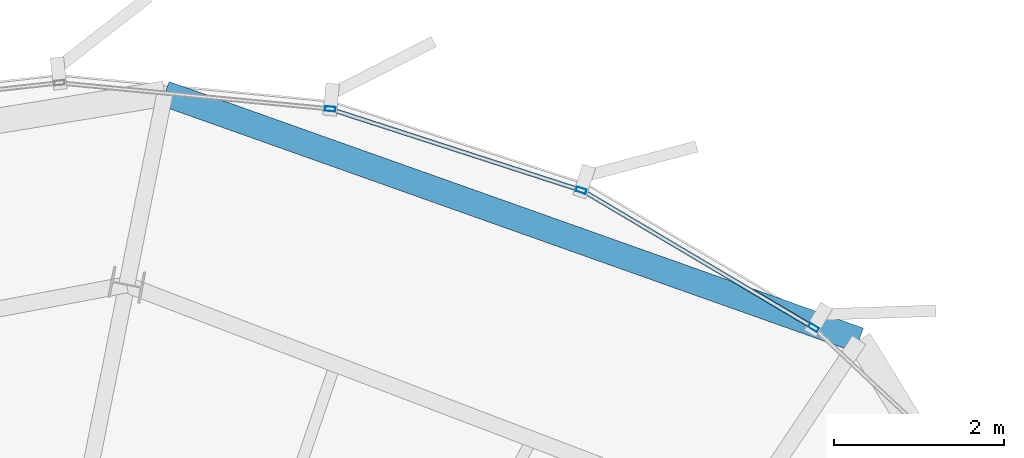
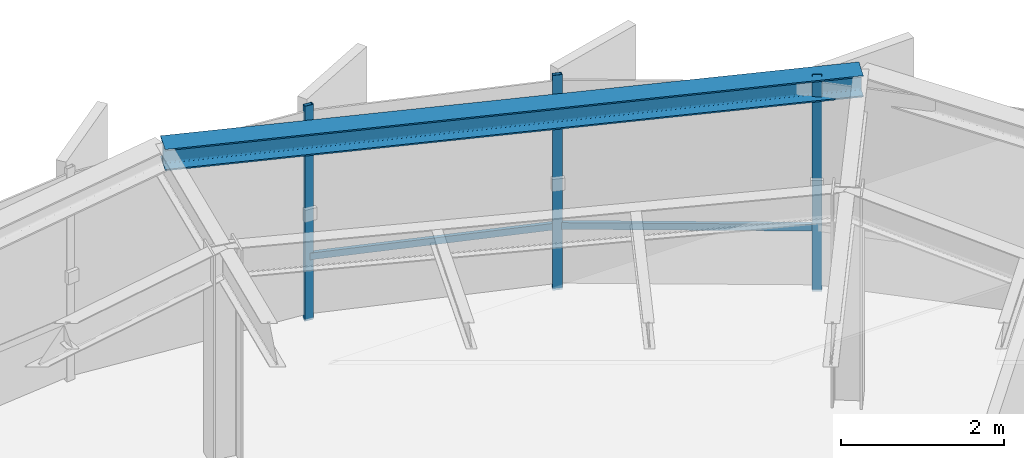
# One storey, part 21 of 30: 5 members, 1 beam, 2 elements without a shape of their own.
"""IFC4 building model written with IfcOpenShell, lengths in metres."""

from ifc_helpers import new_model, si_unit, direction, frame, origin, origin_2d, place, context, subcontext, project, spatial, hollow_rectangle, i_section, extrude, source, transform, mapped, material, layer, layer_set, material_profile, profile_set, type_object, element, aggregate, save


model = new_model("IFC4")

# Units and contexts
model_context = context("Model", 3, precision=1e-05, world=origin(), true_north=direction((0.0, 1.0)))
body_context = subcontext(model_context, "Body", "Model", "MODEL_VIEW")
ifc_project = project(units=[si_unit("LENGTHUNIT", "METRE"), si_unit("AREAUNIT", "SQUARE_METRE"), si_unit("VOLUMEUNIT", "CUBIC_METRE"), si_unit("PLANEANGLEUNIT", "RADIAN"), si_unit("MASSUNIT", "GRAM", prefix="KILO"), si_unit("THERMODYNAMICTEMPERATUREUNIT", "KELVIN")], contexts=[model_context])

# Site, building, storey
site_placement = place(None, origin())
site = spatial("IfcSite", under=ifc_project, at=site_placement, CompositionType="ELEMENT")
building_placement = place(site_placement, origin())
building = spatial("IfcBuilding", under=site, at=building_placement, Name="Kethvar Cultural Tower", CompositionType="ELEMENT")
storey_placement = place(building_placement, frame((0.0, 0.0, 297.39990234375)))
storey = spatial("IfcBuildingStorey", under=building, at=storey_placement, Name="L79", CompositionType="ELEMENT", Elevation=297.39990234375)

# Beam
ifc_material_1 = material(Name="Steel S355J2", Category="steel")
ifc_material_profile_1 = material_profile(ifc_material_1, i_section(OverallWidth=0.300048828125, OverallDepth=0.320068359375, WebThickness=0.011474609375, FlangeThickness=0.0205078125, FilletRadius=0.027099609375, at=origin_2d()), Name="Steel S355J2 — HEB320")
ifc_profile_set_1 = profile_set([ifc_material_profile_1], Name="Steel S355J2 — HEB320")
beam_type = type_object("IfcBeamType", Name="BM-SP320", PredefinedType="SPANDREL", material=ifc_profile_set_1)
shared_shape_1 = source(origin(), body_context, "Body", "SweptSolid", [
    extrude(i_section(OverallWidth=0.300048828125, OverallDepth=0.320068359375, WebThickness=0.011474609375, FlangeThickness=0.0205078125, FilletRadius=0.027099609375, at=origin_2d()), origin(), (0.0, 0.0, 1.0), 8.688232421875),
])
beam_placement = place(storey_placement, frame((59.28125, 46.479248046875, 3.048095703125), z_axis=(-0.942364594382, 0.334587763159, 0.0), x_axis=(-0.334587763159, -0.942364594382, 0.0)))
element("IfcBeam", 1, at=beam_placement, inside=storey, type_object=beam_type, Name="L79 Perimeter Spandrel Beam SP-03", PredefinedType="SPANDREL", context=body_context, shape_type="MappedRepresentation", body=[
    mapped(shared_shape_1, transform((0.0, 0.0, 0.0), scale=1.0)),
])

# Curtain wall, members
ifc_material_2 = material(Name="Aluminium 6063-T6", Category="aluminium")
ifc_layer = layer(ifc_material_2, 0.179931640625, Name="Aluminium 6063-T6", Category="aluminium")
ifc_layer_set = layer_set([ifc_layer], Name="Aluminium 6063-T6 (180 mm)")
curtain_wall_type = type_object("IfcCurtainWallType", Name="CW-SYS-05-Z56", PredefinedType="NOTDEFINED", material=ifc_layer_set)
curtain_wall_1_placement = place(storey_placement, origin())
curtain_wall_1 = element("IfcCurtainWall", 2, at=curtain_wall_1_placement, inside=storey, type_object=curtain_wall_type, Name="L79 Curtain Wall Run 01", PredefinedType="NOTDEFINED")
ifc_material_profile_2 = material_profile(ifc_material_2, hollow_rectangle(XDim=0.054931640625, YDim=0.1201171875, WallThickness=0.00390625, at=origin_2d()), Name="Aluminium 6063-T6 — RHS120x55x4")
ifc_profile_set_2 = profile_set([ifc_material_profile_2], Name="Aluminium 6063-T6 — RHS120x55x4")
member_type_1 = type_object("IfcMemberType", Name="CW-SYS-05-Z56-MUL", PredefinedType="MULLION", material=ifc_profile_set_2)
shared_shape_2 = source(origin(), body_context, "Body", "SweptSolid", [
    extrude(hollow_rectangle(XDim=0.054931640625, YDim=0.1201171875, WallThickness=0.00390625, at=origin_2d()), origin(), (0.0, 0.0, 1.0), 3.210205078125),
])
member_1_placement = place(storey_placement, frame((56.004150390625, 48.244384765625, 0.0), z_axis=(0.0, 0.0, 1.0), x_axis=(-0.307987671464, -0.951390347978, 0.0)))
member_1 = element("IfcMember", 3, at=member_1_placement, type_object=member_type_1, Name="CW-L79-R01 Mullion 1", PredefinedType="MULLION", context=body_context, shape_type="MappedRepresentation", body=[
    mapped(shared_shape_2, transform((0.0, 0.0, 0.0), scale=1.0)),
])
member_2_placement = place(storey_placement, frame((53.04443359375, 49.205078125, 0.0), z_axis=(0.0, 0.0, 1.0), x_axis=(-0.095533034857, -0.995426260077, 0.0)))
member_2 = element("IfcMember", 4, at=member_2_placement, type_object=member_type_1, Name="CW-L79-R01 Mullion 2", PredefinedType="MULLION", context=body_context, shape_type="MappedRepresentation", body=[
    mapped(shared_shape_2, transform((0.0, 0.0, 0.0), scale=1.0)),
])

# Curtain wall, member
curtain_wall_2_placement = place(storey_placement, origin())
curtain_wall_2 = element("IfcCurtainWall", 5, at=curtain_wall_2_placement, inside=storey, type_object=curtain_wall_type, Name="L79 Curtain Wall Run 06", PredefinedType="NOTDEFINED")
member_3_placement = place(storey_placement, frame((58.743896484375, 46.62646484375, 0.0), z_axis=(0.0, 0.0, 1.0), x_axis=(-0.509957516808, -0.860199587916, 0.0)))
member_3 = element("IfcMember", 6, at=member_3_placement, type_object=member_type_1, Name="CW-L79-R06 Mullion 6", PredefinedType="MULLION", context=body_context, shape_type="MappedRepresentation", body=[
    mapped(shared_shape_2, transform((0.0, 0.0, 0.0), scale=1.0)),
])

# Member
ifc_material_profile_3 = material_profile(ifc_material_2, hollow_rectangle(XDim=0.050048828125, YDim=0.10009765625, WallThickness=0.00390625, at=origin_2d()), Name="Aluminium 6063-T6 — RHS100x50x4")
ifc_profile_set_3 = profile_set([ifc_material_profile_3], Name="Aluminium 6063-T6 — RHS100x50x4")
member_type_2 = type_object("IfcMemberType", Name="CW-SYS-05-Z56-TRN", PredefinedType="USERDEFINED", material=ifc_profile_set_3)
shared_shape_3 = source(origin(), body_context, "Body", "SweptSolid", [
    extrude(hollow_rectangle(XDim=0.050048828125, YDim=0.10009765625, WallThickness=0.00390625, at=origin_2d()), origin(), (0.0, 0.0, 1.0), 3.089599609375),
])
member_4_placement = place(storey_placement, frame((56.00048828125, 48.24560546875, 0.9501953125), z_axis=(-0.951381878154, 0.308013833974, 0.0), x_axis=(-0.308013833974, -0.951381878154, 0.0)))
member_4 = element("IfcMember", 7, at=member_4_placement, type_object=member_type_2, Name="CW-L79-R01 Transom 1", ObjectType="TRANSOM", PredefinedType="USERDEFINED", context=body_context, shape_type="MappedRepresentation", body=[
    mapped(shared_shape_3, transform((0.0, 0.0, 0.0), scale=1.0)),
])

aggregate(curtain_wall_1, [member_1, member_2, member_4])

member_5_placement = place(storey_placement, frame((58.709716796875, 46.646728515625, 0.9501953125), z_axis=(-0.860186265379, 0.509979988679, 0.0), x_axis=(-0.509979988679, -0.860186265379, 0.0)))
member_5 = element("IfcMember", 8, at=member_5_placement, type_object=member_type_2, Name="CW-L79-R06 Transom 6", ObjectType="TRANSOM", PredefinedType="USERDEFINED", context=body_context, shape_type="MappedRepresentation", body=[
    mapped(shared_shape_3, transform((0.0, 0.0, 0.0), scale=1.0)),
])

aggregate(curtain_wall_2, [member_3, member_5])

save(model, "model.ifc")
